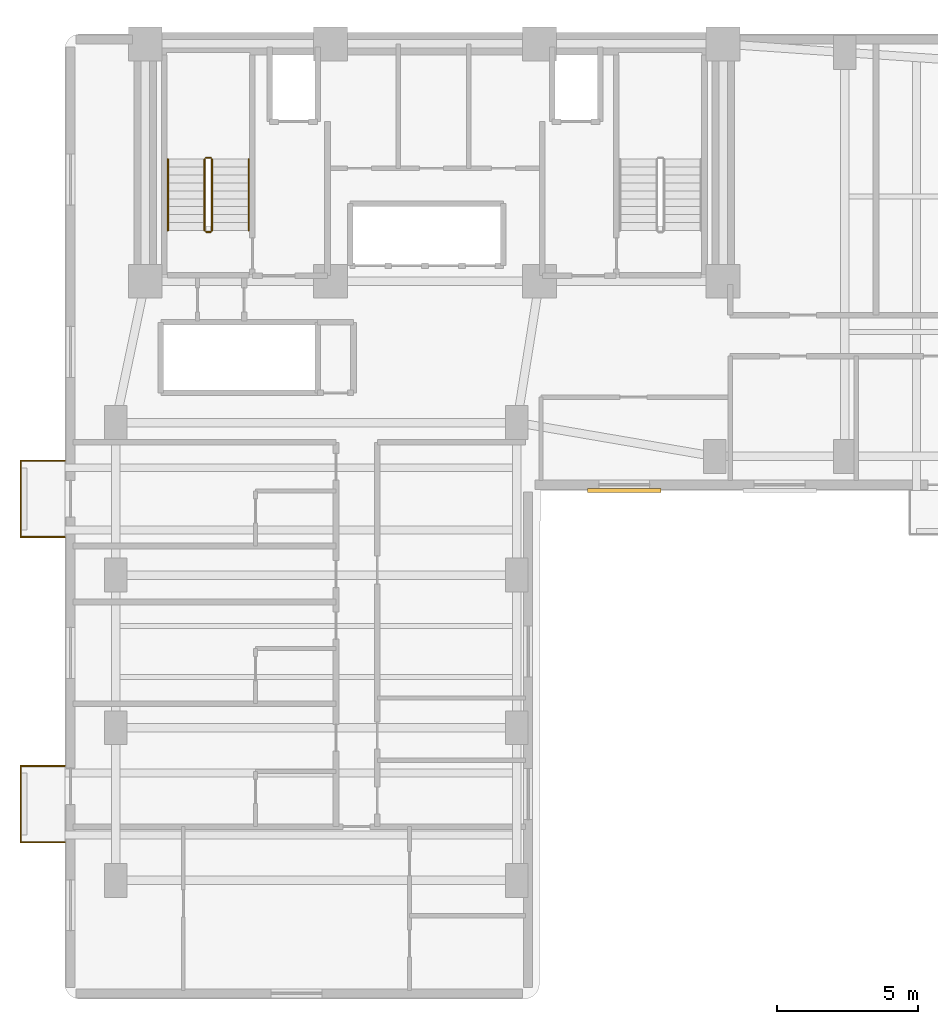
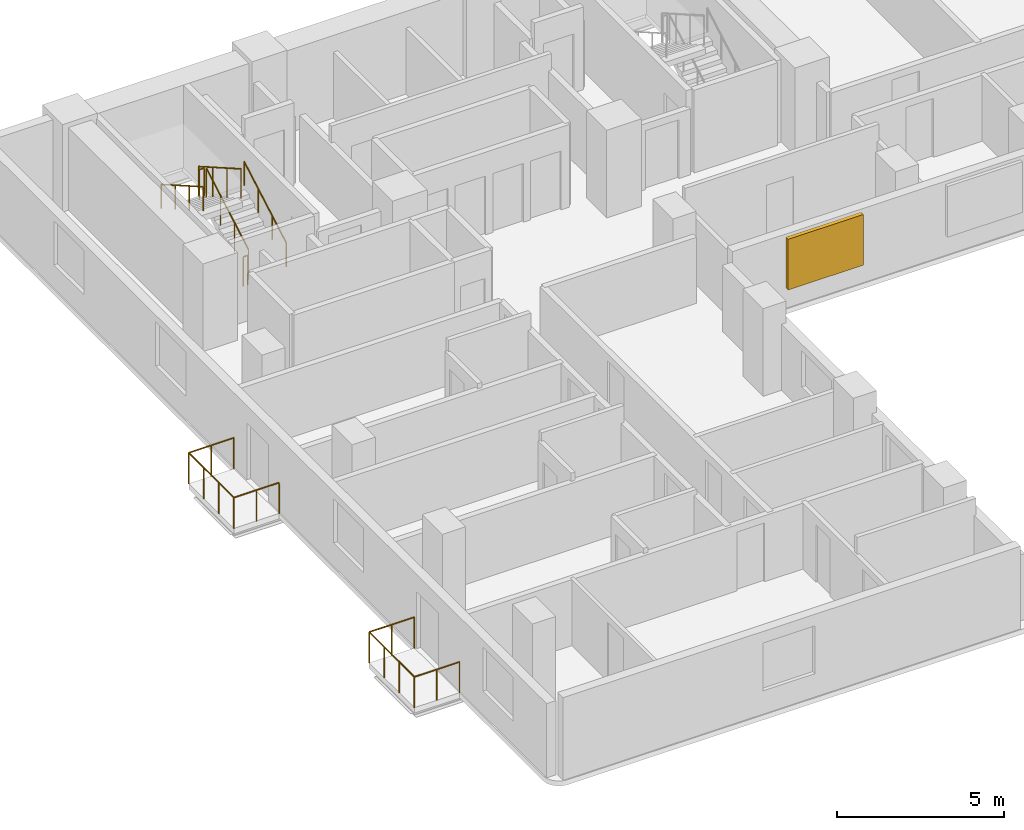
# One storey, part 8 of 11: 12 railings, 1 shading device.
"""IFC4 building model written with IfcOpenShell, lengths in metres."""

from ifc_helpers import new_model, si_unit, direction, frame, origin, origin_2d, place, context, subcontext, project, spatial, rectangle, circle, extrude, material, layer, layer_set, type_object, element, save


model = new_model("IFC4")

# Units and contexts
model_context = context("Model", 3, precision=1e-05, world=origin(), true_north=direction((0.0, 1.0)))
body_context = subcontext(model_context, "Body", "Model", "MODEL_VIEW")
ifc_project = project(units=[si_unit("LENGTHUNIT", "METRE"), si_unit("AREAUNIT", "SQUARE_METRE"), si_unit("VOLUMEUNIT", "CUBIC_METRE"), si_unit("PLANEANGLEUNIT", "RADIAN"), si_unit("MASSUNIT", "GRAM", prefix="KILO")], contexts=[model_context])

# Site, building, storey
site_placement = place(None, origin())
site = spatial("IfcSite", under=ifc_project, at=site_placement, CompositionType="ELEMENT")
building_placement = place(site_placement, origin())
building = spatial("IfcBuilding", under=site, at=building_placement, Name="Kuzgunbayir Cultural Tower", CompositionType="ELEMENT")
storey_placement = place(building_placement, frame((0.0, 0.0, 83.39990234375)))
storey = spatial("IfcBuildingStorey", under=building, at=storey_placement, Name="L23", CompositionType="ELEMENT", Elevation=83.39990234375)

# Railings
ifc_material_1 = material(Name="Laminated Glass and Stainless Steel", Category="steel")
ifc_layer_1 = layer(ifc_material_1, 0.080078125)
ifc_layer_set_1 = layer_set([ifc_layer_1], Name="Laminated Glass and Stainless Steel")
railing_type_1 = type_object("IfcRailingType", Name="RLG-BAL-115", PredefinedType="BALUSTRADE", material=ifc_layer_set_1)
railing_1_placement = place(storey_placement, frame((3.60009765625, 13.949951171875, 0.0)))
element("IfcRailing", 1, at=railing_1_placement, inside=storey, type_object=railing_type_1, Name="L23 Balcony Guard BAL-L23-WA1 Segment 1", PredefinedType="BALUSTRADE", context=body_context, shape_type="SweptSolid", body=[
    extrude(circle(Radius=0.02392578125, at=origin_2d()), frame((0.0, 0.0, 1.1259765625), z_axis=(-1.0, 0.0, 0.0), x_axis=(0.0, -1.0, 0.0)), (0.0, 0.0, 1.0), 1.56005859375),
    extrude(circle(Radius=0.02099609375, at=origin_2d()), origin(), (0.0, 0.0, 1.0), 1.101806640625),
    extrude(circle(Radius=0.02099609375, at=origin_2d()), frame((-0.780029296875, 0.0, 0.0)), (0.0, 0.0, 1.0), 1.101806640625),
    extrude(circle(Radius=0.02099609375, at=origin_2d()), frame((-1.56005859375, 0.0, 0.0)), (0.0, 0.0, 1.0), 1.101806640625),
])
railing_2_placement = place(storey_placement, frame((2.0400390625, 13.949951171875, 0.0)))
element("IfcRailing", 2, at=railing_2_placement, inside=storey, type_object=railing_type_1, Name="L23 Balcony Guard BAL-L23-WA1 Segment 2", PredefinedType="BALUSTRADE", context=body_context, shape_type="SweptSolid", body=[
    extrude(circle(Radius=0.02392578125, at=origin_2d()), frame((0.0, 0.0, 1.1259765625), z_axis=(0.0, 1.0, 0.0), x_axis=(-1.0, 0.0, 0.0)), (0.0, 0.0, 1.0), 2.699951171875),
    extrude(circle(Radius=0.02099609375, at=origin_2d()), origin(), (0.0, 0.0, 1.0), 1.101806640625),
    extrude(circle(Radius=0.02099609375, at=origin_2d()), frame((0.0, 0.89990234375, 0.0)), (0.0, 0.0, 1.0), 1.101806640625),
    extrude(circle(Radius=0.02099609375, at=origin_2d()), frame((0.0, 1.800048828125, 0.0)), (0.0, 0.0, 1.0), 1.101806640625),
    extrude(circle(Radius=0.02099609375, at=origin_2d()), frame((0.0, 2.699951171875, 0.0)), (0.0, 0.0, 1.0), 1.101806640625),
])
railing_3_placement = place(storey_placement, frame((2.0400390625, 16.64990234375, 0.0)))
element("IfcRailing", 3, at=railing_3_placement, inside=storey, type_object=railing_type_1, Name="L23 Balcony Guard BAL-L23-WA1 Segment 3", PredefinedType="BALUSTRADE", context=body_context, shape_type="SweptSolid", body=[
    extrude(circle(Radius=0.02392578125, at=origin_2d()), frame((0.0, 0.0, 1.1259765625), z_axis=(1.0, 0.0, 0.0), x_axis=(0.0, 1.0, 0.0)), (0.0, 0.0, 1.0), 1.56005859375),
    extrude(circle(Radius=0.02099609375, at=origin_2d()), origin(), (0.0, 0.0, 1.0), 1.101806640625),
    extrude(circle(Radius=0.02099609375, at=origin_2d()), frame((0.780029296875, 0.0, 0.0)), (0.0, 0.0, 1.0), 1.101806640625),
    extrude(circle(Radius=0.02099609375, at=origin_2d()), frame((1.56005859375, 0.0, 0.0)), (0.0, 0.0, 1.0), 1.101806640625),
])
railing_4_placement = place(storey_placement, frame((3.60009765625, 24.75, 0.0)))
element("IfcRailing", 4, at=railing_4_placement, inside=storey, type_object=railing_type_1, Name="L23 Balcony Guard BAL-L23-WA3 Segment 1", PredefinedType="BALUSTRADE", context=body_context, shape_type="SweptSolid", body=[
    extrude(circle(Radius=0.02392578125, at=origin_2d()), frame((0.0, 0.0, 1.1259765625), z_axis=(-1.0, 0.0, 0.0), x_axis=(0.0, -1.0, 0.0)), (0.0, 0.0, 1.0), 1.56005859375),
    extrude(circle(Radius=0.02099609375, at=origin_2d()), origin(), (0.0, 0.0, 1.0), 1.101806640625),
    extrude(circle(Radius=0.02099609375, at=origin_2d()), frame((-0.780029296875, 0.0, 0.0)), (0.0, 0.0, 1.0), 1.101806640625),
    extrude(circle(Radius=0.02099609375, at=origin_2d()), frame((-1.56005859375, 0.0, 0.0)), (0.0, 0.0, 1.0), 1.101806640625),
])
railing_5_placement = place(storey_placement, frame((2.0400390625, 24.75, 0.0)))
element("IfcRailing", 5, at=railing_5_placement, inside=storey, type_object=railing_type_1, Name="L23 Balcony Guard BAL-L23-WA3 Segment 2", PredefinedType="BALUSTRADE", context=body_context, shape_type="SweptSolid", body=[
    extrude(circle(Radius=0.02392578125, at=origin_2d()), frame((0.0, 0.0, 1.1259765625), z_axis=(0.0, 1.0, 0.0), x_axis=(-1.0, 0.0, 0.0)), (0.0, 0.0, 1.0), 2.699951171875),
    extrude(circle(Radius=0.02099609375, at=origin_2d()), origin(), (0.0, 0.0, 1.0), 1.101806640625),
    extrude(circle(Radius=0.02099609375, at=origin_2d()), frame((0.0, 0.89990234375, 0.0)), (0.0, 0.0, 1.0), 1.101806640625),
    extrude(circle(Radius=0.02099609375, at=origin_2d()), frame((0.0, 1.800048828125, 0.0)), (0.0, 0.0, 1.0), 1.101806640625),
    extrude(circle(Radius=0.02099609375, at=origin_2d()), frame((0.0, 2.699951171875, 0.0)), (0.0, 0.0, 1.0), 1.101806640625),
])
railing_6_placement = place(storey_placement, frame((2.0400390625, 27.449951171875, 0.0)))
element("IfcRailing", 6, at=railing_6_placement, inside=storey, type_object=railing_type_1, Name="L23 Balcony Guard BAL-L23-WA3 Segment 3", PredefinedType="BALUSTRADE", context=body_context, shape_type="SweptSolid", body=[
    extrude(circle(Radius=0.02392578125, at=origin_2d()), frame((0.0, 0.0, 1.1259765625), z_axis=(1.0, 0.0, 0.0), x_axis=(0.0, 1.0, 0.0)), (0.0, 0.0, 1.0), 1.56005859375),
    extrude(circle(Radius=0.02099609375, at=origin_2d()), origin(), (0.0, 0.0, 1.0), 1.101806640625),
    extrude(circle(Radius=0.02099609375, at=origin_2d()), frame((0.780029296875, 0.0, 0.0)), (0.0, 0.0, 1.0), 1.101806640625),
    extrude(circle(Radius=0.02099609375, at=origin_2d()), frame((1.56005859375, 0.0, 0.0)), (0.0, 0.0, 1.0), 1.101806640625),
])
ifc_material_2 = material(Name="Brushed Stainless Steel", Category="steel")
ifc_layer_2 = layer(ifc_material_2, 0.050048828125)
ifc_layer_set_2 = layer_set([ifc_layer_2], Name="Brushed Stainless Steel")
railing_type_2 = type_object("IfcRailingType", Name="RLG-STAIR-HANDRAIL", PredefinedType="HANDRAIL", material=ifc_layer_set_2)
railing_7_placement = place(storey_placement, frame((10.110107421875, 35.60009765625, 0.16015625)))
element("IfcRailing", 7, at=railing_7_placement, inside=storey, type_object=railing_type_2, Name="L23 ST-1 stair handrail 1", PredefinedType="HANDRAIL", context=body_context, shape_type="SweptSolid", body=[
    extrude(circle(Radius=0.02392578125, at=origin_2d()), frame((0.0, 0.0, 0.8759765625), z_axis=(0.0, 0.868253494771, 0.496120820787), x_axis=(-1.0, 0.0, 0.0)), (0.0, 0.0, 1.0), 2.90234375),
    extrude(circle(Radius=0.02099609375, at=origin_2d()), origin(), (0.0, 0.0, 1.0), 0.851806640625),
    extrude(circle(Radius=0.02099609375, at=origin_2d()), frame((0.0, 0.840087890625, 0.47998046875)), (0.0, 0.0, 1.0), 0.851806640625),
    extrude(circle(Radius=0.02099609375, at=origin_2d()), frame((0.0, 1.679931640625, 0.9599609375)), (0.0, 0.0, 1.0), 0.851806640625),
    extrude(circle(Radius=0.02099609375, at=origin_2d()), frame((0.0, 2.52001953125, 1.43994140625)), (0.0, 0.0, 1.0), 0.851806640625),
])
railing_8_placement = place(storey_placement, frame((7.25, 38.1201171875, 1.760009765625)))
element("IfcRailing", 8, at=railing_8_placement, inside=storey, type_object=railing_type_2, Name="L23 ST-1 stair handrail 2", PredefinedType="HANDRAIL", context=body_context, shape_type="SweptSolid", body=[
    extrude(circle(Radius=0.02392578125, at=origin_2d()), frame((0.0, 0.0, 0.8759765625), z_axis=(0.0, -0.868217259934, 0.496184229447), x_axis=(1.0, 0.0, 0.0)), (0.0, 0.0, 1.0), 2.902587890625),
    extrude(circle(Radius=0.02099609375, at=origin_2d()), origin(), (0.0, 0.0, 1.0), 0.851806640625),
    extrude(circle(Radius=0.02099609375, at=origin_2d()), frame((0.0, -0.840087890625, 0.47998046875)), (0.0, 0.0, 1.0), 0.851806640625),
    extrude(circle(Radius=0.02099609375, at=origin_2d()), frame((0.0, -1.679931640625, 0.960205078125)), (0.0, 0.0, 1.0), 0.851806640625),
    extrude(circle(Radius=0.02099609375, at=origin_2d()), frame((0.0, -2.52001953125, 1.440185546875)), (0.0, 0.0, 1.0), 0.851806640625),
])
ifc_material_3 = material(Name="Painted Steel Balustrade", Category="steel")
ifc_layer_3 = layer(ifc_material_3, 0.06005859375)
ifc_layer_set_3 = layer_set([ifc_layer_3], Name="Painted Steel Balustrade")
railing_type_3 = type_object("IfcRailingType", Name="RLG-WELL-GUARD", PredefinedType="GUARDRAIL", material=ifc_layer_set_3)
railing_9_placement = place(storey_placement, frame((8.81005859375, 35.60009765625, 0.16015625)))
element("IfcRailing", 9, at=railing_9_placement, inside=storey, type_object=railing_type_3, Name="L23 ST-1 stair guard 1", PredefinedType="GUARDRAIL", context=body_context, shape_type="SweptSolid", body=[
    extrude(circle(Radius=0.02392578125, at=origin_2d()), frame((0.0, 0.0, 1.076171875), z_axis=(0.0, 0.868253494771, 0.496120820787), x_axis=(-1.0, 0.0, 0.0)), (0.0, 0.0, 1.0), 2.90234375),
    extrude(circle(Radius=0.02099609375, at=origin_2d()), origin(), (0.0, 0.0, 1.0), 1.052001953125),
    extrude(circle(Radius=0.02099609375, at=origin_2d()), frame((0.0, 0.840087890625, 0.47998046875)), (0.0, 0.0, 1.0), 1.052001953125),
    extrude(circle(Radius=0.02099609375, at=origin_2d()), frame((0.0, 1.679931640625, 0.9599609375)), (0.0, 0.0, 1.0), 1.052001953125),
    extrude(circle(Radius=0.02099609375, at=origin_2d()), frame((0.0, 2.52001953125, 1.43994140625)), (0.0, 0.0, 1.0), 1.052001953125),
])
railing_10_placement = place(storey_placement, frame((8.760009765625, 38.169921875, 1.60009765625)))
element("IfcRailing", 10, at=railing_10_placement, inside=storey, type_object=railing_type_3, Name="L23 ST-1 stair guard 2", PredefinedType="GUARDRAIL", context=body_context, shape_type="SweptSolid", body=[
    extrude(circle(Radius=0.02392578125, at=origin_2d()), frame((0.0, 0.0, 1.076171875), z_axis=(-1.0, 0.0, 0.0), x_axis=(0.0, -1.0, 0.0)), (0.0, 0.0, 1.0), 0.159912109375),
    extrude(circle(Radius=0.02099609375, at=origin_2d()), origin(), (0.0, 0.0, 1.0), 1.052001953125),
    extrude(circle(Radius=0.02099609375, at=origin_2d()), frame((-0.159912109375, 0.0, 0.0)), (0.0, 0.0, 1.0), 1.052001953125),
])
railing_11_placement = place(storey_placement, frame((8.550048828125, 38.1201171875, 1.760009765625)))
element("IfcRailing", 11, at=railing_11_placement, inside=storey, type_object=railing_type_3, Name="L23 ST-1 stair guard 3", PredefinedType="GUARDRAIL", context=body_context, shape_type="SweptSolid", body=[
    extrude(circle(Radius=0.02392578125, at=origin_2d()), frame((0.0, 0.0, 1.076171875), z_axis=(0.0, -0.868217259934, 0.496184229447), x_axis=(1.0, 0.0, 0.0)), (0.0, 0.0, 1.0), 2.902587890625),
    extrude(circle(Radius=0.02099609375, at=origin_2d()), origin(), (0.0, 0.0, 1.0), 1.052001953125),
    extrude(circle(Radius=0.02099609375, at=origin_2d()), frame((0.0, -0.840087890625, 0.47998046875)), (0.0, 0.0, 1.0), 1.052001953125),
    extrude(circle(Radius=0.02099609375, at=origin_2d()), frame((0.0, -1.679931640625, 0.960205078125)), (0.0, 0.0, 1.0), 1.052001953125),
    extrude(circle(Radius=0.02099609375, at=origin_2d()), frame((0.0, -2.52001953125, 1.440185546875)), (0.0, 0.0, 1.0), 1.052001953125),
])
railing_12_placement = place(storey_placement, frame((8.760009765625, 35.550048828125, 0.0)))
element("IfcRailing", 12, at=railing_12_placement, inside=storey, type_object=railing_type_3, Name="L23 ST-1 stair guard 4", PredefinedType="GUARDRAIL", context=body_context, shape_type="SweptSolid", body=[
    extrude(circle(Radius=0.02392578125, at=origin_2d()), frame((0.0, 0.0, 1.076171875), z_axis=(-1.0, 0.0, 0.0), x_axis=(0.0, -1.0, 0.0)), (0.0, 0.0, 1.0), 0.159912109375),
    extrude(circle(Radius=0.02099609375, at=origin_2d()), origin(), (0.0, 0.0, 1.0), 1.052001953125),
    extrude(circle(Radius=0.02099609375, at=origin_2d()), frame((-0.159912109375, 0.0, 0.0)), (0.0, 0.0, 1.0), 1.052001953125),
])

# Shading device
ifc_material_4 = material(Name="Perforated Bronze-Anodised Aluminium", Category="aluminium")
shading_device_type = type_object("IfcShadingDeviceType", Name="SHD-SOLAR-BRONZE", PredefinedType="JALOUSIE", material=ifc_material_4)
shading_device_placement = place(storey_placement, frame((23.39990234375, 26.389892578125, 0.735107421875), z_axis=(0.0, 0.0, 1.0), x_axis=(1.0, 0.0, 0.0)))
element("IfcShadingDevice", 13, at=shading_device_placement, inside=storey, type_object=shading_device_type, Name="L23 Solar Screen WBS11", PredefinedType="JALOUSIE", context=body_context, shape_type="SweptSolid", body=[
    extrude(rectangle(XDim=2.60009765625, YDim=0.139892578125, at=origin_2d()), origin(), (0.0, 0.0, 1.0), 1.85009765625),
])

save(model, "model.ifc")
